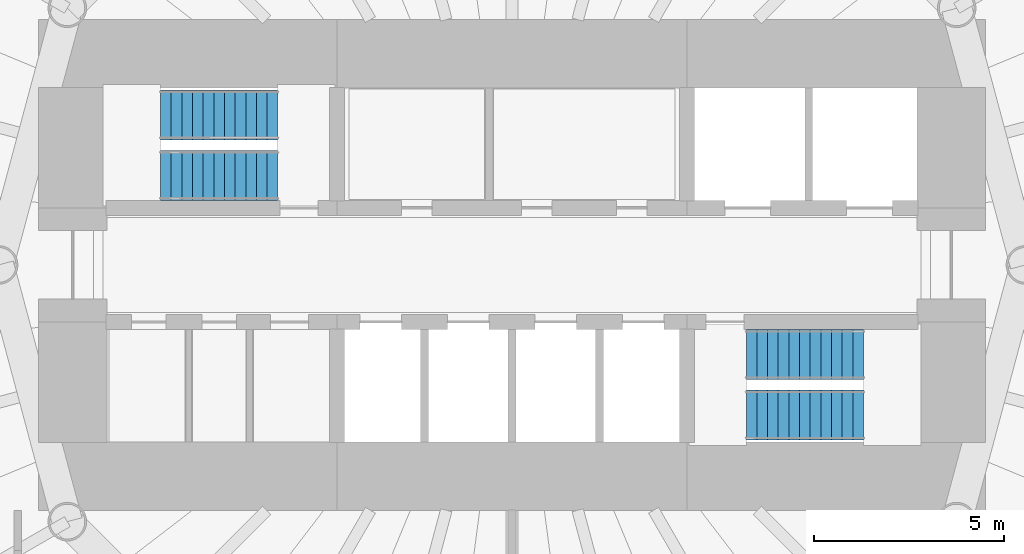
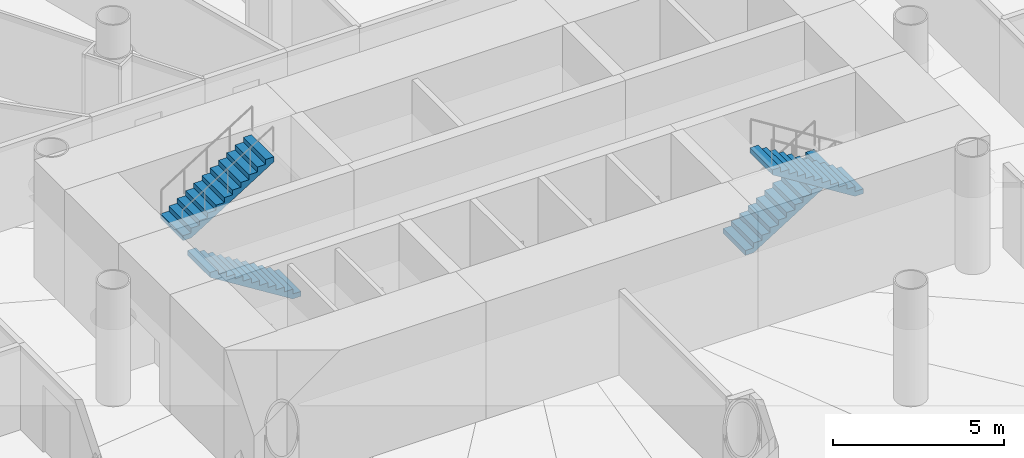
# One storey, part 11 of 15: 4 stair flights, 2 elements without a shape of their own.
"""IFC4 building model written with IfcOpenShell, lengths in metres."""

from ifc_helpers import new_model, si_unit, direction, frame, origin, place, context, subcontext, project, spatial, polyline, outline, extrude, material, type_object, element, aggregate, save


model = new_model("IFC4")

# Units and contexts
model_context = context("Model", 3, precision=1e-05, world=origin(), true_north=direction((0.0, 1.0)))
body_context = subcontext(model_context, "Body", "Model", "MODEL_VIEW")
ifc_project = project(units=[si_unit("LENGTHUNIT", "METRE"), si_unit("AREAUNIT", "SQUARE_METRE"), si_unit("VOLUMEUNIT", "CUBIC_METRE"), si_unit("PLANEANGLEUNIT", "RADIAN"), si_unit("MASSUNIT", "GRAM", prefix="KILO")], contexts=[model_context])

# Site, building, storey
site_placement = place(None, origin())
site = spatial("IfcSite", under=ifc_project, at=site_placement, CompositionType="ELEMENT")
building_placement = place(site_placement, origin())
building = spatial("IfcBuilding", under=site, at=building_placement, Name="Qaws Media Tower", CompositionType="ELEMENT")
storey_placement = place(building_placement, frame((0.0, 0.0, 177.199951171875)))
storey = spatial("IfcBuildingStorey", under=building, at=storey_placement, Name="L40", CompositionType="ELEMENT", Elevation=177.199951171875)

# Stair, stair flights
ifc_material_1 = material(Name="Concrete C40/50", Category="concrete")
stair_type = type_object("IfcStairType", Name="Exit stair", PredefinedType="HALF_TURN_STAIR", material=ifc_material_1)
stair_1_placement = place(storey_placement, origin())
stair_1 = element("IfcStair", 1, at=stair_1_placement, inside=storey, type_object=stair_type, Name="S1 exit stair L40", PredefinedType="HALF_TURN_STAIR")
ifc_material_2 = material(Name="Concrete C40/50", Category="concrete")
stair_flight_type = type_object("IfcStairFlightType", Name="Stair flight 1310", PredefinedType="STRAIGHT", material=ifc_material_2)
stair_flight_1_placement = place(storey_placement, frame((53.840087890625, 52.35498046875, 0.0), z_axis=(0.0, 0.0, 1.0), x_axis=(-1.0, 0.0, 0.0)))
stair_flight_1 = element("IfcStairFlight", 2, at=stair_flight_1_placement, type_object=stair_flight_type, Name="S1 flight 1", NumberOfRisers=12, NumberOfTreads=11, PredefinedType="STRAIGHT", RiserHeight=0.175, TreadLength=0.28, context=body_context, shape_type="SweptSolid", body=[
    extrude(outline(polyline([(0.0, 0.0), (0.0, 0.175048828125), (0.280029296875, 0.175048828125), (0.280029296875, 0.35009765625), (0.56005859375, 0.35009765625), (0.56005859375, 0.52490234375), (0.840087890625, 0.52490234375), (0.840087890625, 0.699951171875), (1.1201171875, 0.699951171875), (1.1201171875, 0.875), (1.39990234375, 0.875), (1.39990234375, 1.050048828125), (1.679931640625, 1.050048828125), (1.679931640625, 1.22509765625), (1.9599609375, 1.22509765625), (1.9599609375, 1.39990234375), (2.239990234375, 1.39990234375), (2.239990234375, 1.574951171875), (2.52001953125, 1.574951171875), (2.52001953125, 1.75), (2.800048828125, 1.75), (2.800048828125, 1.925048828125), (3.080078125, 1.925048828125), (3.080078125, 2.10009765625), (3.080078125, 1.748291015625), (0.28271484375, 0.0), (0.0, 0.0)])), frame((0.0, 0.655029296875, 0.0), z_axis=(0.0, -1.0, 0.0), x_axis=(1.0, 0.0, 0.0)), (0.0, 0.0, 1.0), 1.31005859375),
])
stair_flight_2_placement = place(storey_placement, frame((50.760009765625, 53.945068359375, 2.10009765625), z_axis=(0.0, 0.0, 1.0), x_axis=(1.0, 0.0, 0.0)))
stair_flight_2 = element("IfcStairFlight", 3, at=stair_flight_2_placement, type_object=stair_flight_type, Name="S1 flight 2", NumberOfRisers=12, NumberOfTreads=11, PredefinedType="STRAIGHT", RiserHeight=0.175, TreadLength=0.28, context=body_context, shape_type="SweptSolid", body=[
    extrude(outline(polyline([(0.0, 0.0), (0.0, 0.175048828125), (0.280029296875, 0.175048828125), (0.280029296875, 0.35009765625), (0.56005859375, 0.35009765625), (0.56005859375, 0.52490234375), (0.840087890625, 0.52490234375), (0.840087890625, 0.699951171875), (1.1201171875, 0.699951171875), (1.1201171875, 0.875), (1.39990234375, 0.875), (1.39990234375, 1.050048828125), (1.679931640625, 1.050048828125), (1.679931640625, 1.22509765625), (1.9599609375, 1.22509765625), (1.9599609375, 1.39990234375), (2.239990234375, 1.39990234375), (2.239990234375, 1.574951171875), (2.52001953125, 1.574951171875), (2.52001953125, 1.75), (2.800048828125, 1.75), (2.800048828125, 1.925048828125), (3.080078125, 1.925048828125), (3.080078125, 2.10009765625), (3.080078125, 1.748291015625), (0.28271484375, 0.0), (0.0, 0.0)])), frame((0.0, 0.655029296875, 0.0), z_axis=(0.0, -1.0, 0.0), x_axis=(1.0, 0.0, 0.0)), (0.0, 0.0, 1.0), 1.31005859375),
])
aggregate(stair_1, [stair_flight_1, stair_flight_2])

stair_2_placement = place(storey_placement, origin())
stair_2 = element("IfcStair", 4, at=stair_2_placement, inside=storey, type_object=stair_type, Name="S2 exit stair L40", PredefinedType="HALF_TURN_STAIR")
stair_flight_3_placement = place(storey_placement, frame((66.159912109375, 47.64501953125, 0.0), z_axis=(0.0, 0.0, 1.0), x_axis=(1.0, 0.0, 0.0)))
stair_flight_3 = element("IfcStairFlight", 5, at=stair_flight_3_placement, type_object=stair_flight_type, Name="S2 flight 1", NumberOfRisers=12, NumberOfTreads=11, PredefinedType="STRAIGHT", RiserHeight=0.175, TreadLength=0.28, context=body_context, shape_type="SweptSolid", body=[
    extrude(outline(polyline([(0.0, 0.0), (0.0, 0.175048828125), (0.280029296875, 0.175048828125), (0.280029296875, 0.35009765625), (0.56005859375, 0.35009765625), (0.56005859375, 0.52490234375), (0.840087890625, 0.52490234375), (0.840087890625, 0.699951171875), (1.1201171875, 0.699951171875), (1.1201171875, 0.875), (1.39990234375, 0.875), (1.39990234375, 1.050048828125), (1.679931640625, 1.050048828125), (1.679931640625, 1.22509765625), (1.9599609375, 1.22509765625), (1.9599609375, 1.39990234375), (2.239990234375, 1.39990234375), (2.239990234375, 1.574951171875), (2.52001953125, 1.574951171875), (2.52001953125, 1.75), (2.800048828125, 1.75), (2.800048828125, 1.925048828125), (3.080078125, 1.925048828125), (3.080078125, 2.10009765625), (3.080078125, 1.748291015625), (0.28271484375, 0.0), (0.0, 0.0)])), frame((0.0, 0.655029296875, 0.0), z_axis=(0.0, -1.0, 0.0), x_axis=(1.0, 0.0, 0.0)), (0.0, 0.0, 1.0), 1.31005859375),
])
stair_flight_4_placement = place(storey_placement, frame((69.239990234375, 46.054931640625, 2.10009765625), z_axis=(0.0, 0.0, 1.0), x_axis=(-1.0, 0.0, 0.0)))
stair_flight_4 = element("IfcStairFlight", 6, at=stair_flight_4_placement, type_object=stair_flight_type, Name="S2 flight 2", NumberOfRisers=12, NumberOfTreads=11, PredefinedType="STRAIGHT", RiserHeight=0.175, TreadLength=0.28, context=body_context, shape_type="SweptSolid", body=[
    extrude(outline(polyline([(0.0, 0.0), (0.0, 0.175048828125), (0.280029296875, 0.175048828125), (0.280029296875, 0.35009765625), (0.56005859375, 0.35009765625), (0.56005859375, 0.52490234375), (0.840087890625, 0.52490234375), (0.840087890625, 0.699951171875), (1.1201171875, 0.699951171875), (1.1201171875, 0.875), (1.39990234375, 0.875), (1.39990234375, 1.050048828125), (1.679931640625, 1.050048828125), (1.679931640625, 1.22509765625), (1.9599609375, 1.22509765625), (1.9599609375, 1.39990234375), (2.239990234375, 1.39990234375), (2.239990234375, 1.574951171875), (2.52001953125, 1.574951171875), (2.52001953125, 1.75), (2.800048828125, 1.75), (2.800048828125, 1.925048828125), (3.080078125, 1.925048828125), (3.080078125, 2.10009765625), (3.080078125, 1.748291015625), (0.28271484375, 0.0), (0.0, 0.0)])), frame((0.0, 0.655029296875, 0.0), z_axis=(0.0, -1.0, 0.0), x_axis=(1.0, 0.0, 0.0)), (0.0, 0.0, 1.0), 1.31005859375),
])
aggregate(stair_2, [stair_flight_3, stair_flight_4])

save(model, "model.ifc")
